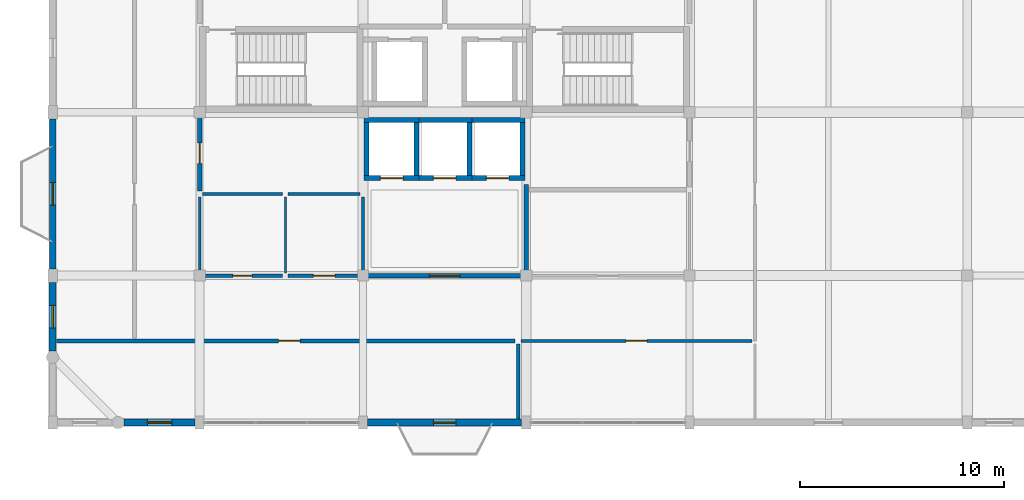
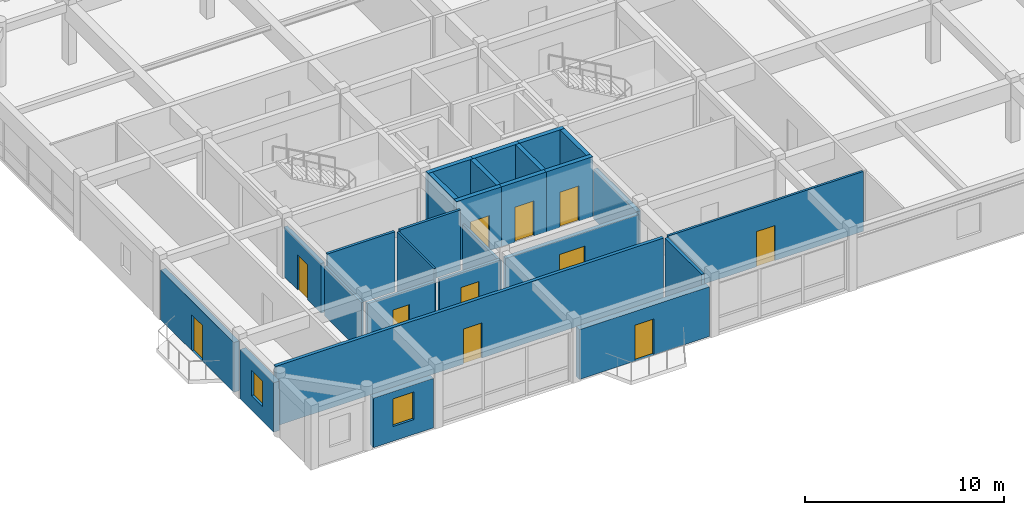
# One storey, part 9 of 13: 27 walls, 11 doors, 2 windows, 13 openings.
"""IFC4 building model written with IfcOpenShell, lengths in metres."""

from ifc_helpers import new_model, si_unit, direction, frame, frame_2d, origin, place, context, subcontext, project, spatial, rectangle, extrude, material, layer, layer_set, type_object, element, fill, save


model = new_model("IFC4")

# Units and contexts
model_context = context("Model", 3, precision=1e-05, world=origin(), true_north=direction((0.0, 1.0)))
body_context = subcontext(model_context, "Body", "Model", "MODEL_VIEW")
ifc_project = project(units=[si_unit("LENGTHUNIT", "METRE"), si_unit("AREAUNIT", "SQUARE_METRE"), si_unit("VOLUMEUNIT", "CUBIC_METRE"), si_unit("PLANEANGLEUNIT", "RADIAN"), si_unit("MASSUNIT", "GRAM", prefix="KILO")], contexts=[model_context])

# Site, building, storey
site_placement = place(None, origin())
site = spatial("IfcSite", under=ifc_project, at=site_placement, CompositionType="ELEMENT")
building_placement = place(site_placement, origin())
building = spatial("IfcBuilding", under=site, at=building_placement, Name="Vellmiral Cinema and Media Centre", CompositionType="ELEMENT")
storey_placement = place(building_placement, frame((0.0, 0.0, 58.699951171875)))
storey = spatial("IfcBuildingStorey", under=building, at=storey_placement, Name="L14", CompositionType="ELEMENT", Elevation=58.699951171875)

# Wall, opening, door
ifc_material_1 = material(Name="Concrete C40/50", Category="concrete")
ifc_layer_1 = layer(ifc_material_1, 0.2099609375, Name="Concrete C40/50")
ifc_layer_set_1 = layer_set([ifc_layer_1], Name="Concrete C40/50")
wall_type_1 = type_object("IfcWallType", Name="WL-COMP-210", PredefinedType="SOLIDWALL", material=ifc_layer_set_1)
wall_1_placement = place(storey_placement, frame((124.0, 83.340087890625, 0.0), z_axis=(0.0, 0.0, 1.0), x_axis=(0.0, 1.0, 0.0)))
wall_1 = element("IfcWall", 1, at=wall_1_placement, inside=storey, type_object=wall_type_1, Name="Electrical and Telecom Riser Room Wall W", PredefinedType="SOLIDWALL", context=body_context, shape_type="SweptSolid", body=[
    extrude(rectangle(XDim=3.719970703125, YDim=0.2099609375, at=frame_2d((1.85986328125, 0.0))), origin(), (0.0, 0.0, 1.0), 3.045166015625),
])
opening_1_placement = place(wall_1_placement, frame((1.360107421875, 0.0, 0.0)))
opening_1 = element("IfcOpeningElement", 2, at=opening_1_placement, cuts=wall_1, Name="Opening D-FD30B", PredefinedType="OPENING", context=body_context, shape_type="SweptSolid", body=[
    extrude(rectangle(XDim=1.0, YDim=2.14990234375, at=frame_2d((0.5, 1.074951171875))), frame((0.0, 0.116943359375, 0.0), z_axis=(0.0, -1.0, 0.0), x_axis=(1.0, 0.0, 0.0)), (0.0, 0.0, 1.0), 0.23388671875),
])
ifc_material_2 = material(Name="Steel Riser Fire Door", Category="steel")
door_type_1 = type_object("IfcDoorType", Name="DR-FD30-1000x2150", OperationType="NOTDEFINED", PredefinedType="DOOR", material=ifc_material_2)
door_1_placement = place(opening_1_placement, frame((1.0, 0.0, 0.0), z_axis=(0.0, 0.0, 1.0), x_axis=(-1.0, 0.0, 0.0)))
door_1 = element("IfcDoor", 3, at=door_1_placement, inside=storey, type_object=door_type_1, Name="Electrical and Telecom Riser Room Door", OperationType="SINGLE_SWING_LEFT", OverallHeight=2.14990234375, OverallWidth=1.0, PredefinedType="DOOR", context=body_context, shape_type="SweptSolid", body=[
    extrude(rectangle(XDim=1.0, YDim=2.14990234375, at=frame_2d((0.5, 1.074951171875))), frame((0.0, 0.02490234375, 0.0), z_axis=(0.0, -1.0, 0.0), x_axis=(1.0, 0.0, 0.0)), (0.0, 0.0, 1.0), 0.050048828125),
])
fill(opening_1, door_1)

ifc_material_3 = material(Name="Polychrome Glazed Ceramic Cladding", Category="masonry")
ifc_layer_2 = layer(ifc_material_3, 0.320068359375, Name="Polychrome Glazed Ceramic Cladding")
ifc_layer_set_2 = layer_set([ifc_layer_2], Name="Polychrome Glazed Ceramic Cladding")
wall_type_2 = type_object("IfcWallType", Name="WL-EXT-BRICK-320", PredefinedType="SOLIDWALL", material=ifc_layer_set_2)
wall_2_placement = place(storey_placement, frame((116.800048828125, 86.875, 0.0), z_axis=(0.0, 0.0, 1.0), x_axis=(0.0, -1.0, 0.0)))
wall_2 = element("IfcWall", 4, at=wall_2_placement, inside=storey, type_object=wall_type_2, Name="Exterior Facade Wall L14-027", PredefinedType="SOLIDWALL", context=body_context, shape_type="SweptSolid", body=[
    extrude(rectangle(XDim=7.35009765625, YDim=0.320068359375, at=frame_2d((3.675048828125, 0.0))), origin(), (0.0, 0.0, 1.0), 3.050048828125),
])
opening_2_placement = place(wall_2_placement, frame((3.125, 0.0, 0.0)))
opening_2 = element("IfcOpeningElement", 5, at=opening_2_placement, cuts=wall_2, Name="Opening DE-06", PredefinedType="OPENING", context=body_context, shape_type="SweptSolid", body=[
    extrude(rectangle(XDim=1.10009765625, YDim=2.199951171875, at=frame_2d((0.550048828125, 1.10009765625))), frame((0.0, 0.171875, 0.0), z_axis=(0.0, -1.0, 0.0), x_axis=(1.0, 0.0, 0.0)), (0.0, 0.0, 1.0), 0.343994140625),
])
ifc_material_4 = material(Name="Thermally Broken Glazed Aluminium and Bronze Door", Category="aluminium")
door_type_2 = type_object("IfcDoorType", Name="DR-MIRA-1100x2200", OperationType="NOTDEFINED", PredefinedType="DOOR", material=ifc_material_4)
door_2_placement = place(opening_2_placement, frame((1.10009765625, 0.0, 0.0), z_axis=(0.0, 0.0, 1.0), x_axis=(-1.0, 0.0, 0.0)))
door_2 = element("IfcDoor", 6, at=door_2_placement, inside=storey, type_object=door_type_2, Name="Mirador Balcony Door L14-W", OperationType="SINGLE_SWING_RIGHT", OverallHeight=2.199951171875, OverallWidth=1.10009765625, PredefinedType="DOOR", context=body_context, shape_type="SweptSolid", body=[
    extrude(rectangle(XDim=1.10009765625, YDim=2.199951171875, at=frame_2d((0.550048828125, 1.10009765625))), frame((0.0, 0.02490234375, 0.0), z_axis=(0.0, -1.0, 0.0), x_axis=(1.0, 0.0, 0.0)), (0.0, 0.0, 1.0), 0.050048828125),
])
fill(opening_2, door_2)

# Wall, opening, window
ifc_material_5 = material(Name="Vosges Red Sandstone Masonry", Category="masonry")
ifc_layer_3 = layer(ifc_material_5, 0.340087890625, Name="Vosges Red Sandstone Masonry")
ifc_layer_set_3 = layer_set([ifc_layer_3], Name="Vosges Red Sandstone Masonry")
wall_type_3 = type_object("IfcWallType", Name="WL-EXT-SAND-340", PredefinedType="SOLIDWALL", material=ifc_layer_set_3)
wall_3_placement = place(storey_placement, frame((120.300048828125, 72.0, 0.0), z_axis=(0.0, 0.0, 1.0), x_axis=(1.0, 0.0, 0.0)))
wall_3 = element("IfcWall", 7, at=wall_3_placement, inside=storey, type_object=wall_type_3, Name="Exterior Facade Wall L14-002", PredefinedType="SOLIDWALL", context=body_context, shape_type="SweptSolid", body=[
    extrude(rectangle(XDim=3.474853515625, YDim=0.340087890625, at=frame_2d((1.7373046875, 0.0))), origin(), (0.0, 0.0, 1.0), 3.03515625),
])
opening_3_placement = place(wall_3_placement, frame((1.137451171875, 0.0, 0.89990234375)))
opening_3 = element("IfcOpeningElement", 8, at=opening_3_placement, cuts=wall_3, Name="Opening WN-10", PredefinedType="OPENING", context=body_context, shape_type="SweptSolid", body=[
    extrude(rectangle(XDim=1.199951171875, YDim=1.699951171875, at=frame_2d((0.60009765625, 0.85009765625))), frame((0.0, 0.18212890625, 0.0), z_axis=(0.0, -1.0, 0.0), x_axis=(1.0, 0.0, 0.0)), (0.0, 0.0, 1.0), 0.364013671875),
])
ifc_material_6 = material(Name="Thermally Broken Aluminium Triple Glazing", Category="aluminium")
window_type_1 = type_object("IfcWindowType", Name="WN-1200x1700", PartitioningType="SINGLE_PANEL", PredefinedType="WINDOW", material=ifc_material_6)
window_1_placement = place(opening_3_placement, origin())
window_1 = element("IfcWindow", 9, at=window_1_placement, inside=storey, type_object=window_type_1, Name="Window L14-002", OverallHeight=1.699951171875, OverallWidth=1.199951171875, PartitioningType="SINGLE_PANEL", PredefinedType="WINDOW", context=body_context, shape_type="SweptSolid", body=[
    extrude(rectangle(XDim=1.199951171875, YDim=1.699951171875, at=frame_2d((0.60009765625, 0.85009765625))), frame((0.0, 0.030029296875, 0.0), z_axis=(0.0, -1.0, 0.0), x_axis=(1.0, 0.0, 0.0)), (0.0, 0.0, 1.0), 0.06005859375),
])
fill(opening_3, window_1)

# Wall, opening, door
wall_4_placement = place(storey_placement, frame((132.22509765625, 72.0, 0.0), z_axis=(0.0, 0.0, 1.0), x_axis=(1.0, 0.0, 0.0)))
wall_4 = element("IfcWall", 10, at=wall_4_placement, inside=storey, type_object=wall_type_3, Name="Exterior Facade Wall L14-004", PredefinedType="SOLIDWALL", context=body_context, shape_type="SweptSolid", body=[
    extrude(rectangle(XDim=7.5498046875, YDim=0.340087890625, at=frame_2d((3.77490234375, 0.0))), origin(), (0.0, 0.0, 1.0), 3.050048828125),
])
opening_4_placement = place(wall_4_placement, frame((3.22509765625, 0.0, 0.0)))
opening_4 = element("IfcOpeningElement", 11, at=opening_4_placement, cuts=wall_4, Name="Opening DE-06", PredefinedType="OPENING", context=body_context, shape_type="SweptSolid", body=[
    extrude(rectangle(XDim=1.10009765625, YDim=2.199951171875, at=frame_2d((0.550048828125, 1.10009765625))), frame((0.0, 0.18212890625, 0.0), z_axis=(0.0, -1.0, 0.0), x_axis=(1.0, 0.0, 0.0)), (0.0, 0.0, 1.0), 0.364013671875),
])
door_3_placement = place(opening_4_placement, frame((1.10009765625, 0.0, 0.0), z_axis=(0.0, 0.0, 1.0), x_axis=(-1.0, 0.0, 0.0)))
door_3 = element("IfcDoor", 12, at=door_3_placement, inside=storey, type_object=door_type_2, Name="Mirador Balcony Door L14-S", OperationType="SINGLE_SWING_LEFT", OverallHeight=2.199951171875, OverallWidth=1.10009765625, PredefinedType="DOOR", context=body_context, shape_type="SweptSolid", body=[
    extrude(rectangle(XDim=1.10009765625, YDim=2.199951171875, at=frame_2d((0.550048828125, 1.10009765625))), frame((0.0, 0.02490234375, 0.0), z_axis=(0.0, -1.0, 0.0), x_axis=(1.0, 0.0, 0.0)), (0.0, 0.0, 1.0), 0.050048828125),
])
fill(opening_4, door_3)

# Wall, opening, window
wall_5_placement = place(storey_placement, frame((116.800048828125, 78.875, 0.0), z_axis=(0.0, 0.0, 1.0), x_axis=(0.0, -1.0, 0.0)))
wall_5 = element("IfcWall", 13, at=wall_5_placement, inside=storey, type_object=wall_type_3, Name="Exterior Facade Wall L14-028", PredefinedType="SOLIDWALL", context=body_context, shape_type="SweptSolid", body=[
    extrude(rectangle(XDim=3.375, YDim=0.340087890625, at=frame_2d((1.6875, 0.0))), origin(), (0.0, 0.0, 1.0), 3.03515625),
])
opening_5_placement = place(wall_5_placement, frame((1.137451171875, 0.0, 0.89990234375)))
opening_5 = element("IfcOpeningElement", 14, at=opening_5_placement, cuts=wall_5, Name="Opening WN-11", PredefinedType="OPENING", context=body_context, shape_type="SweptSolid", body=[
    extrude(rectangle(XDim=1.10009765625, YDim=1.550048828125, at=frame_2d((0.550048828125, 0.77490234375))), frame((0.0, 0.18212890625, 0.0), z_axis=(0.0, -1.0, 0.0), x_axis=(1.0, 0.0, 0.0)), (0.0, 0.0, 1.0), 0.364013671875),
])
ifc_material_7 = material(Name="Thermally Broken Aluminium Triple Glazing", Category="aluminium")
window_type_2 = type_object("IfcWindowType", Name="WN-1100x1550", PartitioningType="SINGLE_PANEL", PredefinedType="WINDOW", material=ifc_material_7)
window_2_placement = place(opening_5_placement, origin())
window_2 = element("IfcWindow", 15, at=window_2_placement, inside=storey, type_object=window_type_2, Name="Window L14-028", OverallHeight=1.550048828125, OverallWidth=1.10009765625, PartitioningType="SINGLE_PANEL", PredefinedType="WINDOW", context=body_context, shape_type="SweptSolid", body=[
    extrude(rectangle(XDim=1.10009765625, YDim=1.550048828125, at=frame_2d((0.550048828125, 0.77490234375))), frame((0.0, 0.030029296875, 0.0), z_axis=(0.0, -1.0, 0.0), x_axis=(1.0, 0.0, 0.0)), (0.0, 0.0, 1.0), 0.06005859375),
])
fill(opening_5, window_2)

# Wall, opening, door
ifc_material_8 = material(Name="Concrete C40/50", Category="concrete")
ifc_layer_4 = layer(ifc_material_8, 0.22998046875, Name="Concrete C40/50")
ifc_layer_set_4 = layer_set([ifc_layer_4], Name="Concrete C40/50")
wall_type_4 = type_object("IfcWallType", Name="WL-FFL-230", PredefinedType="SOLIDWALL", material=ifc_layer_set_4)
wall_6_placement = place(storey_placement, frame((132.139892578125, 79.199951171875, 0.0), z_axis=(0.0, 0.0, 1.0), x_axis=(1.0, 0.0, 0.0)))
wall_6 = element("IfcWall", 16, at=wall_6_placement, inside=storey, type_object=wall_type_4, Name="Tower Passenger Lift Lobby Wall S", PredefinedType="SOLIDWALL", context=body_context, shape_type="SweptSolid", body=[
    extrude(rectangle(XDim=7.72021484375, YDim=0.22998046875, at=frame_2d((3.860107421875, 0.0))), origin(), (0.0, 0.0, 1.0), 3.045166015625),
])
opening_6_placement = place(wall_6_placement, frame((3.110107421875, 0.0, 0.0)))
opening_6 = element("IfcOpeningElement", 17, at=opening_6_placement, cuts=wall_6, Name="Opening D-FD30", PredefinedType="OPENING", context=body_context, shape_type="SweptSolid", body=[
    extrude(rectangle(XDim=1.5, YDim=2.199951171875, at=frame_2d((0.75, 1.10009765625))), frame((0.0, 0.126953125, 0.0), z_axis=(0.0, -1.0, 0.0), x_axis=(1.0, 0.0, 0.0)), (0.0, 0.0, 1.0), 0.25390625),
])
ifc_material_9 = material(Name="Timber-Core Fire Door", Category="wood")
door_type_3 = type_object("IfcDoorType", Name="DR-FD30-1500x2200", OperationType="DOUBLE_DOOR_SINGLE_SWING", PredefinedType="DOOR", material=ifc_material_9)
door_4_placement = place(opening_6_placement, frame((1.5, 0.0, 0.0), z_axis=(0.0, 0.0, 1.0), x_axis=(-1.0, 0.0, 0.0)))
door_4 = element("IfcDoor", 18, at=door_4_placement, inside=storey, type_object=door_type_3, Name="Tower Passenger Lift Lobby Door", OperationType="DOUBLE_DOOR_SINGLE_SWING", OverallHeight=2.199951171875, OverallWidth=1.5, PredefinedType="DOOR", context=body_context, shape_type="SweptSolid", body=[
    extrude(rectangle(XDim=1.5, YDim=2.199951171875, at=frame_2d((0.75, 1.10009765625))), frame((0.0, 0.02490234375, 0.0), z_axis=(0.0, -1.0, 0.0), x_axis=(1.0, 0.0, 0.0)), (0.0, 0.0, 1.0), 0.050048828125),
])
fill(opening_6, door_4)

# Walls
wall_7_placement = place(storey_placement, frame((140.0, 79.340087890625, 0.0), z_axis=(0.0, 0.0, 1.0), x_axis=(0.0, 1.0, 0.0)))
element("IfcWall", 19, at=wall_7_placement, inside=storey, type_object=wall_type_4, Name="Tower Passenger Lift Lobby Wall E", PredefinedType="SOLIDWALL", context=body_context, shape_type="SweptSolid", body=[
    extrude(rectangle(XDim=4.31982421875, YDim=0.22998046875, at=frame_2d((2.159912109375, 0.0))), origin(), (0.0, 0.0, 1.0), 3.045166015625),
])
ifc_material_10 = material(Name="Gypsum Plasterboard")
ifc_layer_5 = layer(ifc_material_10, 0.02490234375, Name="Gypsum Plasterboard", Category="gypsum")
ifc_material_11 = material(Name="Mineral Wool Acoustic Insulation", Category="insulation")
ifc_layer_6 = layer(ifc_material_11, 0.06005859375, Name="Mineral Wool Acoustic Insulation", Category="insulation")
ifc_layer_7 = layer(ifc_material_10, 0.02490234375, Name="Gypsum Plasterboard", Category="gypsum")
ifc_layer_set_5 = layer_set([ifc_layer_5, ifc_layer_6, ifc_layer_7], Name="Gypsum Plasterboard")
wall_type_5 = type_object("IfcWallType", Name="WL-PART-110", PredefinedType="PARTITIONING", material=ifc_layer_set_5)
wall_8_placement = place(storey_placement, frame((128.199951171875, 79.340087890625, 0.0), z_axis=(0.0, 0.0, 1.0), x_axis=(0.0, 1.0, 0.0)))
element("IfcWall", 20, at=wall_8_placement, inside=storey, type_object=wall_type_5, Name="Staff WC Wall E", PredefinedType="PARTITIONING", context=body_context, shape_type="SweptSolid", body=[
    extrude(rectangle(XDim=3.719970703125, YDim=0.110107421875, at=frame_2d((1.85986328125, 0.0))), origin(), (0.0, 0.0, 1.0), 3.670166015625),
])
ifc_material_12 = material(Name="Gypsum Plasterboard")
ifc_layer_8 = layer(ifc_material_12, 0.02490234375, Name="Gypsum Plasterboard", Category="gypsum")
ifc_material_13 = material(Name="Mineral Wool Acoustic Insulation", Category="insulation")
ifc_layer_9 = layer(ifc_material_13, 0.080078125, Name="Mineral Wool Acoustic Insulation", Category="insulation")
ifc_layer_10 = layer(ifc_material_12, 0.02490234375, Name="Gypsum Plasterboard", Category="gypsum")
ifc_layer_set_6 = layer_set([ifc_layer_8, ifc_layer_9, ifc_layer_10], Name="Gypsum Plasterboard")
wall_type_6 = type_object("IfcWallType", Name="WL-PART-130", PredefinedType="PARTITIONING", material=ifc_layer_set_6)
wall_9_placement = place(storey_placement, frame((124.0, 79.340087890625, 0.0), z_axis=(0.0, 0.0, 1.0), x_axis=(0.0, 1.0, 0.0)))
element("IfcWall", 21, at=wall_9_placement, inside=storey, type_object=wall_type_6, Name="Staff WC Wall W", PredefinedType="PARTITIONING", context=body_context, shape_type="SweptSolid", body=[
    extrude(rectangle(XDim=3.719970703125, YDim=0.1298828125, at=frame_2d((1.85986328125, 0.0))), origin(), (0.0, 0.0, 1.0), 3.045166015625),
])
wall_10_placement = place(storey_placement, frame((132.0, 79.340087890625, 0.0), z_axis=(0.0, 0.0, 1.0), x_axis=(0.0, 1.0, 0.0)))
element("IfcWall", 22, at=wall_10_placement, inside=storey, type_object=wall_type_6, Name="Accessible WC Wall E", PredefinedType="PARTITIONING", context=body_context, shape_type="SweptSolid", body=[
    extrude(rectangle(XDim=3.719970703125, YDim=0.1298828125, at=frame_2d((1.85986328125, 0.0))), origin(), (0.0, 0.0, 1.0), 2.795166015625),
])

# Wall, opening, door
wall_11_placement = place(storey_placement, frame((139.739990234375, 76.0, 0.0), z_axis=(0.0, 0.0, 1.0), x_axis=(1.0, 0.0, 0.0)))
wall_11 = element("IfcWall", 23, at=wall_11_placement, inside=storey, type_object=wall_type_6, Name="South Executive Counsel Suite Wall N", PredefinedType="PARTITIONING", context=body_context, shape_type="SweptSolid", body=[
    extrude(rectangle(XDim=11.320068359375, YDim=0.1298828125, at=frame_2d((5.66015625, 0.0))), origin(), (0.0, 0.0, 1.0), 3.670166015625),
])
opening_7_placement = place(wall_11_placement, frame((5.135009765625, 0.0, 0.0)))
opening_7 = element("IfcOpeningElement", 24, at=opening_7_placement, cuts=wall_11, Name="Opening D-I07", PredefinedType="OPENING", context=body_context, shape_type="SweptSolid", body=[
    extrude(rectangle(XDim=1.050048828125, YDim=2.14990234375, at=frame_2d((0.52490234375, 1.074951171875))), frame((0.0, 0.076904296875, 0.0), z_axis=(0.0, -1.0, 0.0), x_axis=(1.0, 0.0, 0.0)), (0.0, 0.0, 1.0), 0.15380859375),
])
ifc_material_14 = material(Name="Laminated Timber Door", Category="wood")
door_type_4 = type_object("IfcDoorType", Name="DR-INT-1050x2150", OperationType="NOTDEFINED", PredefinedType="DOOR", material=ifc_material_14)
door_5_placement = place(opening_7_placement, frame((1.050048828125, 0.0, 0.0), z_axis=(0.0, 0.0, 1.0), x_axis=(-1.0, 0.0, 0.0)))
door_5 = element("IfcDoor", 25, at=door_5_placement, inside=storey, type_object=door_type_4, Name="South Executive Counsel Suite Door", OperationType="SINGLE_SWING_RIGHT", OverallHeight=2.14990234375, OverallWidth=1.050048828125, PredefinedType="DOOR", context=body_context, shape_type="SweptSolid", body=[
    extrude(rectangle(XDim=1.050048828125, YDim=2.14990234375, at=frame_2d((0.52490234375, 1.074951171875))), frame((0.0, 0.02490234375, 0.0), z_axis=(0.0, -1.0, 0.0), x_axis=(1.0, 0.0, 0.0)), (0.0, 0.0, 1.0), 0.050048828125),
])
fill(opening_7, door_5)

# Walls
ifc_material_15 = material(Name="Gypsum Plasterboard")
ifc_layer_11 = layer(ifc_material_15, 0.02490234375, Name="Gypsum Plasterboard", Category="gypsum")
ifc_material_16 = material(Name="Mineral Wool Acoustic Insulation", Category="insulation")
ifc_layer_12 = layer(ifc_material_16, 0.10009765625, Name="Mineral Wool Acoustic Insulation", Category="insulation")
ifc_layer_13 = layer(ifc_material_15, 0.02490234375, Name="Gypsum Plasterboard", Category="gypsum")
ifc_layer_set_7 = layer_set([ifc_layer_11, ifc_layer_12, ifc_layer_13], Name="Gypsum Plasterboard")
wall_type_7 = type_object("IfcWallType", Name="WL-PART-150", PredefinedType="PARTITIONING", material=ifc_layer_set_7)
wall_12_placement = place(storey_placement, frame((124.139892578125, 83.199951171875, 0.0), z_axis=(0.0, 0.0, 1.0), x_axis=(1.0, 0.0, 0.0)))
element("IfcWall", 26, at=wall_12_placement, inside=storey, type_object=wall_type_7, Name="Staff WC Wall N", PredefinedType="PARTITIONING", context=body_context, shape_type="SweptSolid", body=[
    extrude(rectangle(XDim=3.920166015625, YDim=0.14990234375, at=frame_2d((1.9599609375, 0.0))), origin(), (0.0, 0.0, 1.0), 3.670166015625),
])
wall_13_placement = place(storey_placement, frame((128.340087890625, 83.199951171875, 0.0), z_axis=(0.0, 0.0, 1.0), x_axis=(1.0, 0.0, 0.0)))
element("IfcWall", 27, at=wall_13_placement, inside=storey, type_object=wall_type_7, Name="Accessible WC Wall N", PredefinedType="PARTITIONING", context=body_context, shape_type="SweptSolid", body=[
    extrude(rectangle(XDim=3.52001953125, YDim=0.14990234375, at=frame_2d((1.760009765625, 0.0))), origin(), (0.0, 0.0, 1.0), 3.670166015625),
])

# Wall, opening, door
ifc_material_17 = material(Name="Gypsum Plasterboard")
ifc_layer_14 = layer(ifc_material_17, 0.02490234375, Name="Gypsum Plasterboard", Category="gypsum")
ifc_material_18 = material(Name="Mineral Wool Acoustic Insulation", Category="insulation")
ifc_layer_15 = layer(ifc_material_18, 0.1201171875, Name="Mineral Wool Acoustic Insulation", Category="insulation")
ifc_layer_16 = layer(ifc_material_17, 0.02490234375, Name="Gypsum Plasterboard", Category="gypsum")
ifc_layer_set_8 = layer_set([ifc_layer_14, ifc_layer_15, ifc_layer_16], Name="Gypsum Plasterboard")
wall_type_8 = type_object("IfcWallType", Name="WL-PART-170", PredefinedType="PARTITIONING", material=ifc_layer_set_8)
wall_14_placement = place(storey_placement, frame((124.139892578125, 79.199951171875, 0.0), z_axis=(0.0, 0.0, 1.0), x_axis=(1.0, 0.0, 0.0)))
wall_14 = element("IfcWall", 28, at=wall_14_placement, inside=storey, type_object=wall_type_8, Name="Staff WC Wall S", PredefinedType="PARTITIONING", context=body_context, shape_type="SweptSolid", body=[
    extrude(rectangle(XDim=3.920166015625, YDim=0.169921875, at=frame_2d((1.9599609375, 0.0))), origin(), (0.0, 0.0, 1.0), 3.045166015625),
])
opening_8_placement = place(wall_14_placement, frame((1.485107421875, 0.0, 0.0)))
opening_8 = element("IfcOpeningElement", 29, at=opening_8_placement, cuts=wall_14, Name="Opening D-I09", PredefinedType="OPENING", context=body_context, shape_type="SweptSolid", body=[
    extrude(rectangle(XDim=0.949951171875, YDim=2.14990234375, at=frame_2d((0.47509765625, 1.074951171875))), frame((0.0, 0.096923828125, 0.0), z_axis=(0.0, -1.0, 0.0), x_axis=(1.0, 0.0, 0.0)), (0.0, 0.0, 1.0), 0.19384765625),
])
ifc_material_19 = material(Name="Moisture-Resistant Timber Door", Category="wood")
door_type_5 = type_object("IfcDoorType", Name="DR-INT-950x2150", OperationType="NOTDEFINED", PredefinedType="DOOR", material=ifc_material_19)
door_6_placement = place(opening_8_placement, origin())
door_6 = element("IfcDoor", 30, at=door_6_placement, inside=storey, type_object=door_type_5, Name="Staff WC Door", OperationType="SINGLE_SWING_LEFT", OverallHeight=2.14990234375, OverallWidth=0.949951171875, PredefinedType="DOOR", context=body_context, shape_type="SweptSolid", body=[
    extrude(rectangle(XDim=0.949951171875, YDim=2.14990234375, at=frame_2d((0.47509765625, 1.074951171875))), frame((0.0, 0.02490234375, 0.0), z_axis=(0.0, -1.0, 0.0), x_axis=(1.0, 0.0, 0.0)), (0.0, 0.0, 1.0), 0.050048828125),
])
fill(opening_8, door_6)

wall_15_placement = place(storey_placement, frame((128.340087890625, 79.199951171875, 0.0), z_axis=(0.0, 0.0, 1.0), x_axis=(1.0, 0.0, 0.0)))
wall_15 = element("IfcWall", 31, at=wall_15_placement, inside=storey, type_object=wall_type_8, Name="Accessible WC Wall S", PredefinedType="PARTITIONING", context=body_context, shape_type="SweptSolid", body=[
    extrude(rectangle(XDim=3.52001953125, YDim=0.169921875, at=frame_2d((1.760009765625, 0.0))), origin(), (0.0, 0.0, 1.0), 3.045166015625),
])
opening_9_placement = place(wall_15_placement, frame((1.235107421875, 0.0, 0.0)))
opening_9 = element("IfcOpeningElement", 32, at=opening_9_placement, cuts=wall_15, Name="Opening D-I10", PredefinedType="OPENING", context=body_context, shape_type="SweptSolid", body=[
    extrude(rectangle(XDim=1.050048828125, YDim=2.14990234375, at=frame_2d((0.52490234375, 1.074951171875))), frame((0.0, 0.096923828125, 0.0), z_axis=(0.0, -1.0, 0.0), x_axis=(1.0, 0.0, 0.0)), (0.0, 0.0, 1.0), 0.19384765625),
])
ifc_material_20 = material(Name="Barrier-Free Timber Door", Category="wood")
door_type_6 = type_object("IfcDoorType", Name="DR-ACC-1050x2150", OperationType="NOTDEFINED", PredefinedType="DOOR", material=ifc_material_20)
door_7_placement = place(opening_9_placement, origin())
door_7 = element("IfcDoor", 33, at=door_7_placement, inside=storey, type_object=door_type_6, Name="Accessible WC Door", OperationType="SINGLE_SWING_RIGHT", OverallHeight=2.14990234375, OverallWidth=1.050048828125, PredefinedType="DOOR", context=body_context, shape_type="SweptSolid", body=[
    extrude(rectangle(XDim=1.050048828125, YDim=2.14990234375, at=frame_2d((0.52490234375, 1.074951171875))), frame((0.0, 0.02490234375, 0.0), z_axis=(0.0, -1.0, 0.0), x_axis=(1.0, 0.0, 0.0)), (0.0, 0.0, 1.0), 0.050048828125),
])
fill(opening_9, door_7)

# Wall
wall_16_placement = place(storey_placement, frame((139.60009765625, 72.18505859375, 0.0), z_axis=(0.0, 0.0, 1.0), x_axis=(0.0, 1.0, 0.0)))
element("IfcWall", 34, at=wall_16_placement, inside=storey, type_object=wall_type_8, Name="South Executive Reception Gallery Wall E", PredefinedType="PARTITIONING", context=body_context, shape_type="SweptSolid", body=[
    extrude(rectangle(XDim=3.675048828125, YDim=0.169921875, at=frame_2d((1.83740234375, 0.0))), origin(), (0.0, 0.0, 1.0), 3.670166015625),
])

# Wall, opening, door
ifc_material_21 = material(Name="Gypsum Plasterboard")
ifc_layer_17 = layer(ifc_material_21, 0.02490234375, Name="Gypsum Plasterboard", Category="gypsum")
ifc_material_22 = material(Name="Mineral Wool Acoustic Insulation", Category="insulation")
ifc_layer_18 = layer(ifc_material_22, 0.139892578125, Name="Mineral Wool Acoustic Insulation", Category="insulation")
ifc_layer_19 = layer(ifc_material_21, 0.02490234375, Name="Gypsum Plasterboard", Category="gypsum")
ifc_layer_set_9 = layer_set([ifc_layer_17, ifc_layer_18, ifc_layer_19], Name="Gypsum Plasterboard")
wall_type_9 = type_object("IfcWallType", Name="WL-PART-190", PredefinedType="PARTITIONING", material=ifc_layer_set_9)
wall_17_placement = place(storey_placement, frame((116.985107421875, 76.0, 0.0), z_axis=(0.0, 0.0, 1.0), x_axis=(1.0, 0.0, 0.0)))
wall_17 = element("IfcWall", 35, at=wall_17_placement, inside=storey, type_object=wall_type_9, Name="South Executive Reception Gallery Wall N", PredefinedType="PARTITIONING", context=body_context, shape_type="SweptSolid", body=[
    extrude(rectangle(XDim=22.474853515625, YDim=0.18994140625, at=frame_2d((11.2373046875, 0.0))), origin(), (0.0, 0.0, 1.0), 3.670166015625),
])
opening_10_placement = place(wall_17_placement, frame((10.889892578125, 0.0, 0.0)))
opening_10 = element("IfcOpeningElement", 36, at=opening_10_placement, cuts=wall_17, Name="Opening D-I07", PredefinedType="OPENING", context=body_context, shape_type="SweptSolid", body=[
    extrude(rectangle(XDim=1.050048828125, YDim=2.14990234375, at=frame_2d((0.52490234375, 1.074951171875))), frame((0.0, 0.10693359375, 0.0), z_axis=(0.0, -1.0, 0.0), x_axis=(1.0, 0.0, 0.0)), (0.0, 0.0, 1.0), 0.2138671875),
])
door_8_placement = place(opening_10_placement, origin())
door_8 = element("IfcDoor", 37, at=door_8_placement, inside=storey, type_object=door_type_4, Name="South Executive Reception Gallery Door", OperationType="SINGLE_SWING_RIGHT", OverallHeight=2.14990234375, OverallWidth=1.050048828125, PredefinedType="DOOR", context=body_context, shape_type="SweptSolid", body=[
    extrude(rectangle(XDim=1.050048828125, YDim=2.14990234375, at=frame_2d((0.52490234375, 1.074951171875))), frame((0.0, 0.02490234375, 0.0), z_axis=(0.0, -1.0, 0.0), x_axis=(1.0, 0.0, 0.0)), (0.0, 0.0, 1.0), 0.050048828125),
])
fill(opening_10, door_8)

ifc_material_23 = material(Name="Concrete C40/50", Category="concrete")
ifc_layer_20 = layer(ifc_material_23, 0.25, Name="Concrete C40/50")
ifc_layer_set_10 = layer_set([ifc_layer_20], Name="Concrete C40/50")
wall_type_10 = type_object("IfcWallType", Name="WL-SHAFT-250", PredefinedType="SHEAR", material=ifc_layer_set_10)
wall_18_placement = place(storey_placement, frame((132.050048828125, 83.97509765625, 0.0), z_axis=(0.0, 0.0, 1.0), x_axis=(1.0, 0.0, 0.0)))
wall_18 = element("IfcWall", 38, at=wall_18_placement, inside=storey, type_object=wall_type_10, Name="Lift Shaft Wall LF-P1 L14-S", PredefinedType="SHEAR", context=body_context, shape_type="SweptSolid", body=[
    extrude(rectangle(XDim=2.699951171875, YDim=0.25, at=frame_2d((1.35009765625, 0.0))), origin(), (0.0, 0.0, 1.0), 3.670166015625),
])
opening_11_placement = place(wall_18_placement, frame((0.800048828125, 0.0, 0.0)))
opening_11 = element("IfcOpeningElement", 39, at=opening_11_placement, cuts=wall_18, Name="Opening LD-01", PredefinedType="OPENING", context=body_context, shape_type="SweptSolid", body=[
    extrude(rectangle(XDim=1.10009765625, YDim=2.14990234375, at=frame_2d((0.550048828125, 1.074951171875))), frame((0.0, 0.136962890625, 0.0), z_axis=(0.0, -1.0, 0.0), x_axis=(1.0, 0.0, 0.0)), (0.0, 0.0, 1.0), 0.27392578125),
])
ifc_material_24 = material(Name="Stainless Steel Lift Landing Door", Category="steel")
door_type_7 = type_object("IfcDoorType", Name="DR-LIFT-1100x2150", OperationType="SLIDING_TO_LEFT", PredefinedType="DOOR", material=ifc_material_24)
door_9_placement = place(opening_11_placement, origin())
door_9 = element("IfcDoor", 40, at=door_9_placement, inside=storey, type_object=door_type_7, Name="Lift Landing Door LF-P1 L14", OperationType="SLIDING_TO_LEFT", OverallHeight=2.14990234375, OverallWidth=1.10009765625, PredefinedType="DOOR", context=body_context, shape_type="SweptSolid", body=[
    extrude(rectangle(XDim=1.10009765625, YDim=2.14990234375, at=frame_2d((0.550048828125, 1.074951171875))), frame((0.0, 0.02490234375, 0.0), z_axis=(0.0, -1.0, 0.0), x_axis=(1.0, 0.0, 0.0)), (0.0, 0.0, 1.0), 0.050048828125),
])
fill(opening_11, door_9)

# Walls
wall_19_placement = place(storey_placement, frame((132.050048828125, 86.824951171875, 0.0), z_axis=(0.0, 0.0, 1.0), x_axis=(1.0, 0.0, 0.0)))
element("IfcWall", 41, at=wall_19_placement, inside=storey, type_object=wall_type_10, Name="Lift Shaft Wall LF-P1 L14-N", PredefinedType="SHEAR", context=body_context, shape_type="SweptSolid", body=[
    extrude(rectangle(XDim=2.699951171875, YDim=0.25, at=frame_2d((1.35009765625, 0.0))), origin(), (0.0, 0.0, 1.0), 3.670166015625),
])
for number, where, z_axis, x_axis, name in (
    (42, (132.175048828125, 84.10009765625, 0.0), (0.0, 0.0, 1.0), (0.0, 1.0, 0.0), "Lift Shaft Wall LF-P1 L14-W"),
    (43, (134.625, 84.10009765625, 0.0), (0.0, 0.0, 1.0), (0.0, 1.0, 0.0), "Lift Shaft Wall LF-P1 L14-E"),
):
    element("IfcWall", number, at=place(storey_placement, frame(where, z_axis=z_axis, x_axis=x_axis)), inside=storey, type_object=wall_type_10, Name=name, PredefinedType="SHEAR", context=body_context, shape_type="SweptSolid", body=[
        extrude(rectangle(XDim=2.599853515625, YDim=0.25, at=frame_2d((1.2998046875, 0.0))), origin(), (0.0, 0.0, 1.0), 3.670166015625),
    ])

# Wall, opening, door
wall_20_placement = place(storey_placement, frame((134.64990234375, 83.97509765625, 0.0), z_axis=(0.0, 0.0, 1.0), x_axis=(1.0, 0.0, 0.0)))
wall_20 = element("IfcWall", 44, at=wall_20_placement, inside=storey, type_object=wall_type_10, Name="Lift Shaft Wall LF-P2 L14-S", PredefinedType="SHEAR", context=body_context, shape_type="SweptSolid", body=[
    extrude(rectangle(XDim=2.7001953125, YDim=0.25, at=frame_2d((1.35009765625, 0.0))), origin(), (0.0, 0.0, 1.0), 3.670166015625),
])
opening_12_placement = place(wall_20_placement, frame((0.800048828125, 0.0, 0.0)))
opening_12 = element("IfcOpeningElement", 45, at=opening_12_placement, cuts=wall_20, Name="Opening LD-01", PredefinedType="OPENING", context=body_context, shape_type="SweptSolid", body=[
    extrude(rectangle(XDim=1.10009765625, YDim=2.14990234375, at=frame_2d((0.550048828125, 1.074951171875))), frame((0.0, 0.136962890625, 0.0), z_axis=(0.0, -1.0, 0.0), x_axis=(1.0, 0.0, 0.0)), (0.0, 0.0, 1.0), 0.27392578125),
])
door_10_placement = place(opening_12_placement, origin())
door_10 = element("IfcDoor", 46, at=door_10_placement, inside=storey, type_object=door_type_7, Name="Lift Landing Door LF-P2 L14", OperationType="SLIDING_TO_LEFT", OverallHeight=2.14990234375, OverallWidth=1.10009765625, PredefinedType="DOOR", context=body_context, shape_type="SweptSolid", body=[
    extrude(rectangle(XDim=1.10009765625, YDim=2.14990234375, at=frame_2d((0.550048828125, 1.074951171875))), frame((0.0, 0.02490234375, 0.0), z_axis=(0.0, -1.0, 0.0), x_axis=(1.0, 0.0, 0.0)), (0.0, 0.0, 1.0), 0.050048828125),
])
fill(opening_12, door_10)

# Walls
wall_21_placement = place(storey_placement, frame((134.64990234375, 86.824951171875, 0.0), z_axis=(0.0, 0.0, 1.0), x_axis=(1.0, 0.0, 0.0)))
element("IfcWall", 47, at=wall_21_placement, inside=storey, type_object=wall_type_10, Name="Lift Shaft Wall LF-P2 L14-N", PredefinedType="SHEAR", context=body_context, shape_type="SweptSolid", body=[
    extrude(rectangle(XDim=2.7001953125, YDim=0.25, at=frame_2d((1.35009765625, 0.0))), origin(), (0.0, 0.0, 1.0), 3.670166015625),
])
wall_22_placement = place(storey_placement, frame((137.22509765625, 84.10009765625, 0.0), z_axis=(0.0, 0.0, 1.0), x_axis=(0.0, 1.0, 0.0)))
element("IfcWall", 48, at=wall_22_placement, inside=storey, type_object=wall_type_10, Name="Lift Shaft Wall LF-P2 L14-E", PredefinedType="SHEAR", context=body_context, shape_type="SweptSolid", body=[
    extrude(rectangle(XDim=2.599853515625, YDim=0.25, at=frame_2d((1.2998046875, 0.0))), origin(), (0.0, 0.0, 1.0), 3.670166015625),
])

# Wall, opening, door
wall_23_placement = place(storey_placement, frame((137.25, 83.97509765625, 0.0), z_axis=(0.0, 0.0, 1.0), x_axis=(1.0, 0.0, 0.0)))
wall_23 = element("IfcWall", 49, at=wall_23_placement, inside=storey, type_object=wall_type_10, Name="Lift Shaft Wall LF-P3 L14-S", PredefinedType="SHEAR", context=body_context, shape_type="SweptSolid", body=[
    extrude(rectangle(XDim=2.699951171875, YDim=0.25, at=frame_2d((1.35009765625, 0.0))), origin(), (0.0, 0.0, 1.0), 3.670166015625),
])
opening_13_placement = place(wall_23_placement, frame((0.800048828125, 0.0, 0.0)))
opening_13 = element("IfcOpeningElement", 50, at=opening_13_placement, cuts=wall_23, Name="Opening LD-01", PredefinedType="OPENING", context=body_context, shape_type="SweptSolid", body=[
    extrude(rectangle(XDim=1.10009765625, YDim=2.14990234375, at=frame_2d((0.550048828125, 1.074951171875))), frame((0.0, 0.136962890625, 0.0), z_axis=(0.0, -1.0, 0.0), x_axis=(1.0, 0.0, 0.0)), (0.0, 0.0, 1.0), 0.27392578125),
])
door_11_placement = place(opening_13_placement, origin())
door_11 = element("IfcDoor", 51, at=door_11_placement, inside=storey, type_object=door_type_7, Name="Lift Landing Door LF-P3 L14", OperationType="SLIDING_TO_LEFT", OverallHeight=2.14990234375, OverallWidth=1.10009765625, PredefinedType="DOOR", context=body_context, shape_type="SweptSolid", body=[
    extrude(rectangle(XDim=1.10009765625, YDim=2.14990234375, at=frame_2d((0.550048828125, 1.074951171875))), frame((0.0, 0.02490234375, 0.0), z_axis=(0.0, -1.0, 0.0), x_axis=(1.0, 0.0, 0.0)), (0.0, 0.0, 1.0), 0.050048828125),
])
fill(opening_13, door_11)

# Walls
wall_24_placement = place(storey_placement, frame((137.25, 86.824951171875, 0.0), z_axis=(0.0, 0.0, 1.0), x_axis=(1.0, 0.0, 0.0)))
element("IfcWall", 52, at=wall_24_placement, inside=storey, type_object=wall_type_10, Name="Lift Shaft Wall LF-P3 L14-N", PredefinedType="SHEAR", context=body_context, shape_type="SweptSolid", body=[
    extrude(rectangle(XDim=2.699951171875, YDim=0.25, at=frame_2d((1.35009765625, 0.0))), origin(), (0.0, 0.0, 1.0), 3.670166015625),
])
wall_25_placement = place(storey_placement, frame((139.824951171875, 84.10009765625, 0.0), z_axis=(0.0, 0.0, 1.0), x_axis=(0.0, 1.0, 0.0)))
element("IfcWall", 53, at=wall_25_placement, inside=storey, type_object=wall_type_10, Name="Lift Shaft Wall LF-P3 L14-E", PredefinedType="SHEAR", context=body_context, shape_type="SweptSolid", body=[
    extrude(rectangle(XDim=2.599853515625, YDim=0.25, at=frame_2d((1.2998046875, 0.0))), origin(), (0.0, 0.0, 1.0), 3.670166015625),
])

save(model, "model.ifc")
